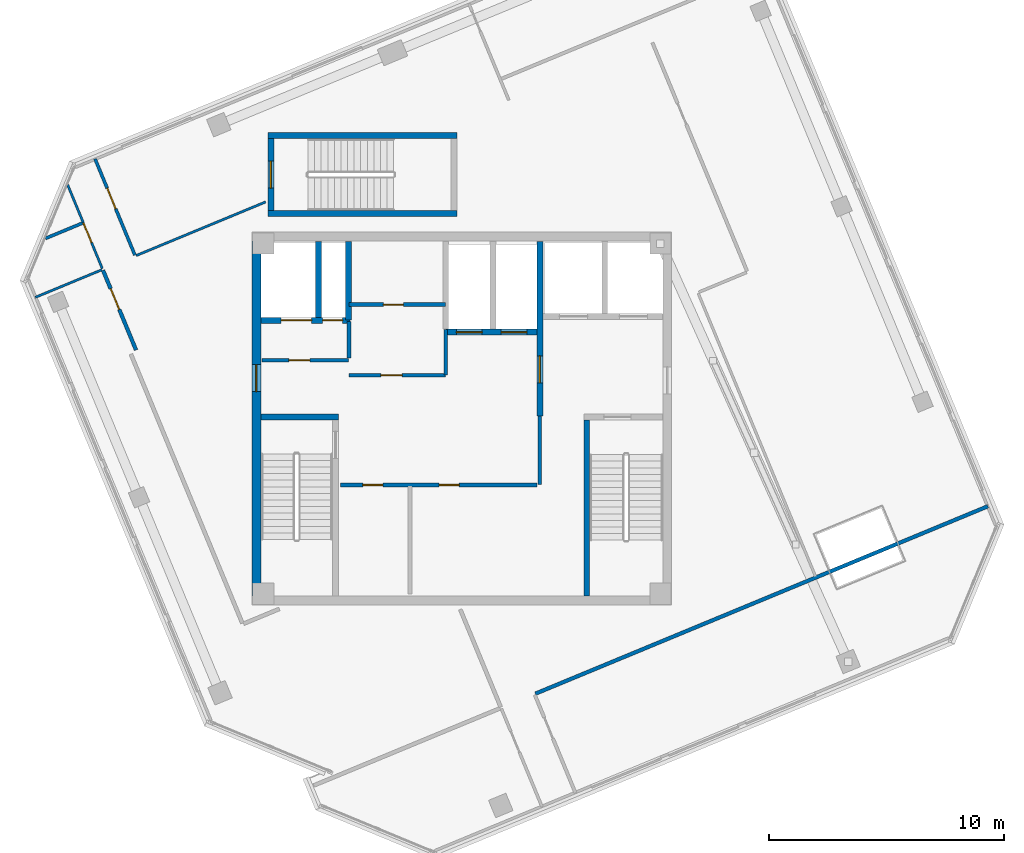
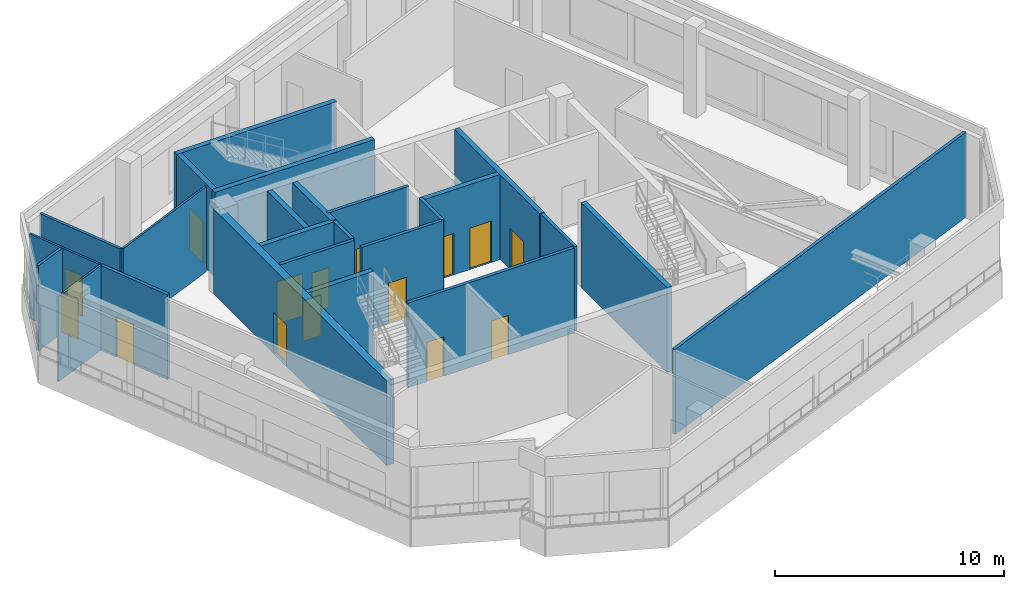
# One storey, part 9 of 17: 25 walls, 15 doors, 15 openings.
"""IFC4 building model written with IfcOpenShell, lengths in metres."""

from ifc_helpers import new_model, si_unit, direction, frame, frame_2d, origin, place, context, subcontext, project, spatial, rectangle, extrude, source, transform, mapped, material, layer, layer_set, type_object, element, fill, save


model = new_model("IFC4")

# Units and contexts
model_context = context("Model", 3, precision=1e-05, world=origin(), true_north=direction((0.0, 1.0)))
body_context = subcontext(model_context, "Body", "Model", "MODEL_VIEW")
ifc_project = project(units=[si_unit("LENGTHUNIT", "METRE"), si_unit("AREAUNIT", "SQUARE_METRE"), si_unit("VOLUMEUNIT", "CUBIC_METRE"), si_unit("PLANEANGLEUNIT", "RADIAN"), si_unit("MASSUNIT", "GRAM", prefix="KILO")], contexts=[model_context])

# Site, building, storey
site_placement = place(None, origin())
site = spatial("IfcSite", under=ifc_project, at=site_placement, CompositionType="ELEMENT")
building_placement = place(site_placement, origin())
building = spatial("IfcBuilding", under=site, at=building_placement, Name="Torre Montelarca", CompositionType="ELEMENT")
storey_placement = place(building_placement, frame((0.0, 0.0, 355.199951171875)))
storey = spatial("IfcBuildingStorey", under=building, at=storey_placement, Name="L80", CompositionType="ELEMENT", Elevation=355.199951171875)

# Walls
ifc_material_1 = material(Name="Concrete C40/50", Category="concrete")
ifc_layer_1 = layer(ifc_material_1, 0.25, Name="Concrete C40/50", Category="concrete")
ifc_layer_set_1 = layer_set([ifc_layer_1], Name="Concrete C40/50")
wall_type_1 = type_object("IfcWallType", Name="CW-SHAFT-250", PredefinedType="SHEAR", material=ifc_layer_set_1)
wall_1_placement = place(storey_placement, frame((9.4599609375, 32.074951171875, 0.0), z_axis=(0.0, 0.0, 1.0), x_axis=(1.0, 0.0, 0.0)))
element("IfcWall", 1, at=wall_1_placement, inside=storey, type_object=wall_type_1, Name="L80 Core Shear Wall SH-ST1-N", PredefinedType="SHEAR", context=body_context, shape_type="SweptSolid", body=[
    extrude(rectangle(XDim=3.2900390625, YDim=0.25, at=frame_2d((1.64501953125, 0.0))), origin(), (0.0, 0.0, 1.0), 4.52001953125),
])
wall_2_placement = place(storey_placement, frame((23.31494140625, 24.4599609375, 0.0), z_axis=(0.0, 0.0, 1.0), x_axis=(0.0, 1.0, 0.0)))
element("IfcWall", 2, at=wall_2_placement, inside=storey, type_object=wall_type_1, Name="L80 Core Shear Wall SH-ST2-W", PredefinedType="SHEAR", context=body_context, shape_type="SweptSolid", body=[
    extrude(rectangle(XDim=7.489990234375, YDim=0.25, at=frame_2d((3.7451171875, 0.0))), origin(), (0.0, 0.0, 1.0), 4.52001953125),
])

# Wall, opening, door
wall_3_placement = place(storey_placement, frame((21.320068359375, 32.1201171875, 0.0), z_axis=(0.0, 0.0, 1.0), x_axis=(0.0, 1.0, 0.0)))
wall_3 = element("IfcWall", 3, at=wall_3_placement, inside=storey, type_object=wall_type_1, Name="L80 Core Shear Wall SH-FFL-W", PredefinedType="SHEAR", context=body_context, shape_type="SweptSolid", body=[
    extrude(rectangle(XDim=7.419921875, YDim=0.25, at=frame_2d((3.7099609375, 0.0))), origin(), (0.0, 0.0, 1.0), 4.52001953125),
])
opening_1_placement = place(wall_3_placement, frame((1.39990234375, 0.0, 0.0)))
opening_1 = element("IfcOpeningElement", 4, at=opening_1_placement, cuts=wall_3, Name="Opening FD-LB1", PredefinedType="OPENING", context=body_context, shape_type="SweptSolid", body=[
    extrude(rectangle(XDim=1.14990234375, YDim=2.199951171875, at=frame_2d((0.574951171875, 1.10009765625))), frame((0.0, 0.135009765625, 0.0), z_axis=(0.0, -1.0, 0.0), x_axis=(1.0, 0.0, 0.0)), (0.0, 0.0, 1.0), 0.27001953125),
])
ifc_material_2 = material(Name="Acoustic timber-veneered fire door", Category="wood")
door_type_1 = type_object("IfcDoorType", Name="DR-LOBBY-115", OperationType="NOTDEFINED", PredefinedType="DOOR", material=ifc_material_2)
shared_shape_1 = source(origin(), body_context, "Body", "SweptSolid", [
    extrude(rectangle(XDim=1.14990234375, YDim=2.199951171875, at=frame_2d((0.574951171875, 1.10009765625))), frame((0.0, 0.02490234375, 0.0), z_axis=(0.0, -1.0, 0.0), x_axis=(1.0, 0.0, 0.0)), (0.0, 0.0, 1.0), 0.050048828125),
])
door_1_placement = place(opening_1_placement, origin())
door_1 = element("IfcDoor", 5, at=door_1_placement, inside=storey, type_object=door_type_1, Name="L80 Lift Lobby to Firefighting Lobby Smoke Door", OperationType="SINGLE_SWING_LEFT", OverallHeight=2.199951171875, OverallWidth=1.14990234375, PredefinedType="DOOR", context=body_context, shape_type="MappedRepresentation", body=[
    mapped(shared_shape_1, transform((0.0, 0.0, 0.0), scale=1.0)),
])
fill(opening_1, door_1)

# Wall, openings, doors
wall_4_placement = place(storey_placement, frame((9.4599609375, 36.179931640625, 0.0), z_axis=(0.0, 0.0, 1.0), x_axis=(1.0, 0.0, 0.0)))
wall_4 = element("IfcWall", 6, at=wall_4_placement, inside=storey, type_object=wall_type_1, Name="L80 Core Shear Wall SH-SV1-S", PredefinedType="SHEAR", context=body_context, shape_type="SweptSolid", body=[
    extrude(rectangle(XDim=3.7900390625, YDim=0.25, at=frame_2d((1.89501953125, 0.0))), origin(), (0.0, 0.0, 1.0), 4.52001953125),
])
opening_2_placement = place(wall_4_placement, frame((2.6201171875, 0.0, 0.0)))
opening_2 = element("IfcOpeningElement", 7, at=opening_2_placement, cuts=wall_4, Name="Opening FD-085", PredefinedType="OPENING", context=body_context, shape_type="SweptSolid", body=[
    extrude(rectangle(XDim=0.85009765625, YDim=2.10009765625, at=frame_2d((0.425048828125, 1.050048828125))), frame((0.0, 0.135009765625, 0.0), z_axis=(0.0, -1.0, 0.0), x_axis=(1.0, 0.0, 0.0)), (0.0, 0.0, 1.0), 0.27001953125),
])
opening_3_placement = place(wall_4_placement, frame((0.85009765625, 0.0, 0.0)))
opening_3 = element("IfcOpeningElement", 8, at=opening_3_placement, cuts=wall_4, Name="Opening LD-130", PredefinedType="OPENING", context=body_context, shape_type="SweptSolid", body=[
    extrude(rectangle(XDim=1.300048828125, YDim=2.25, at=frame_2d((0.64990234375, 1.125))), frame((0.0, 0.135009765625, 0.0), z_axis=(0.0, -1.0, 0.0), x_axis=(1.0, 0.0, 0.0)), (0.0, 0.0, 1.0), 0.27001953125),
])
ifc_material_3 = material(Name="Steel riser access fire door", Category="steel")
door_type_2 = type_object("IfcDoorType", Name="DR-RISER-085", OperationType="NOTDEFINED", PredefinedType="DOOR", material=ifc_material_3)
shared_shape_2 = source(origin(), body_context, "Body", "SweptSolid", [
    extrude(rectangle(XDim=0.85009765625, YDim=2.10009765625, at=frame_2d((0.425048828125, 1.050048828125))), frame((0.0, 0.02490234375, 0.0), z_axis=(0.0, -1.0, 0.0), x_axis=(1.0, 0.0, 0.0)), (0.0, 0.0, 1.0), 0.050048828125),
])
door_2_placement = place(opening_2_placement, origin())
door_2 = element("IfcDoor", 9, at=door_2_placement, inside=storey, type_object=door_type_2, Name="L80 Electrical Riser Shaft Access Door", OperationType="SINGLE_SWING_RIGHT", OverallHeight=2.10009765625, OverallWidth=0.85009765625, PredefinedType="DOOR", context=body_context, shape_type="MappedRepresentation", body=[
    mapped(shared_shape_2, transform((0.0, 0.0, 0.0), scale=1.0)),
])
fill(opening_2, door_2)
ifc_material_4 = material(Name="Brushed stainless steel AISI 316", Category="steel")
door_type_3 = type_object("IfcDoorType", Name="DR-LIFT-130", OperationType="SLIDING_TO_LEFT", PredefinedType="DOOR", material=ifc_material_4)
shared_shape_3 = source(origin(), body_context, "Body", "SweptSolid", [
    extrude(rectangle(XDim=1.300048828125, YDim=2.25, at=frame_2d((0.64990234375, 1.125))), frame((0.0, 0.02490234375, 0.0), z_axis=(0.0, -1.0, 0.0), x_axis=(1.0, 0.0, 0.0)), (0.0, 0.0, 1.0), 0.050048828125),
])
door_3_placement = place(opening_3_placement, origin())
door_3 = element("IfcDoor", 10, at=door_3_placement, inside=storey, type_object=door_type_3, Name="L80 Lift Landing Sliding Door SV-1", OperationType="SLIDING_TO_LEFT", OverallHeight=2.25, OverallWidth=1.300048828125, PredefinedType="DOOR", context=body_context, shape_type="MappedRepresentation", body=[
    mapped(shared_shape_3, transform((0.0, 0.0, 0.0), scale=1.0)),
])
fill(opening_3, door_3)

# Walls
wall_5_placement = place(storey_placement, frame((11.89990234375, 36.31005859375, 0.0), z_axis=(0.0, 0.0, 1.0), x_axis=(0.0, 1.0, 0.0)))
element("IfcWall", 11, at=wall_5_placement, inside=storey, type_object=wall_type_1, Name="L80 Core Shear Wall SH-SV1-E", PredefinedType="SHEAR", context=body_context, shape_type="SweptSolid", body=[
    extrude(rectangle(XDim=3.22998046875, YDim=0.25, at=frame_2d((1.614990234375, 0.0))), origin(), (0.0, 0.0, 1.0), 4.52001953125),
])
wall_6_placement = place(storey_placement, frame((13.179931640625, 36.199951171875, 0.0), z_axis=(0.0, 0.0, 1.0), x_axis=(0.0, 1.0, 0.0)))
element("IfcWall", 12, at=wall_6_placement, inside=storey, type_object=wall_type_1, Name="L80 Core Shear Wall SH-RSR1-E", PredefinedType="SHEAR", context=body_context, shape_type="SweptSolid", body=[
    extrude(rectangle(XDim=3.340087890625, YDim=0.25, at=frame_2d((1.669921875, 0.0))), origin(), (0.0, 0.0, 1.0), 4.52001953125),
])

# Wall, openings, doors
wall_7_placement = place(storey_placement, frame((17.320068359375, 35.679931640625, 0.0), z_axis=(0.0, 0.0, 1.0), x_axis=(1.0, 0.0, 0.0)))
wall_7 = element("IfcWall", 13, at=wall_7_placement, inside=storey, type_object=wall_type_1, Name="L80 Core Shear Wall SH-PLH-S", PredefinedType="SHEAR", context=body_context, shape_type="SweptSolid", body=[
    extrude(rectangle(XDim=3.869873046875, YDim=0.25, at=frame_2d((1.93505859375, 0.0))), origin(), (0.0, 0.0, 1.0), 4.52001953125),
])
opening_4_placement = place(wall_7_placement, frame((0.449951171875, 0.0, 0.0)))
opening_4 = element("IfcOpeningElement", 14, at=opening_4_placement, cuts=wall_7, Name="Opening LD-110", PredefinedType="OPENING", context=body_context, shape_type="SweptSolid", body=[
    extrude(rectangle(XDim=1.10009765625, YDim=2.199951171875, at=frame_2d((0.550048828125, 1.10009765625))), frame((0.0, 0.135009765625, 0.0), z_axis=(0.0, -1.0, 0.0), x_axis=(1.0, 0.0, 0.0)), (0.0, 0.0, 1.0), 0.27001953125),
])
opening_5_placement = place(wall_7_placement, frame((2.35009765625, 0.0, 0.0)))
opening_5 = element("IfcOpeningElement", 15, at=opening_5_placement, cuts=wall_7, Name="Opening LD-110", PredefinedType="OPENING", context=body_context, shape_type="SweptSolid", body=[
    extrude(rectangle(XDim=1.10009765625, YDim=2.199951171875, at=frame_2d((0.550048828125, 1.10009765625))), frame((0.0, 0.135009765625, 0.0), z_axis=(0.0, -1.0, 0.0), x_axis=(1.0, 0.0, 0.0)), (0.0, 0.0, 1.0), 0.27001953125),
])
door_type_4 = type_object("IfcDoorType", Name="DR-LIFT-110", OperationType="SLIDING_TO_LEFT", PredefinedType="DOOR", material=ifc_material_4)
shared_shape_4 = source(origin(), body_context, "Body", "SweptSolid", [
    extrude(rectangle(XDim=1.10009765625, YDim=2.199951171875, at=frame_2d((0.550048828125, 1.10009765625))), frame((0.0, 0.02490234375, 0.0), z_axis=(0.0, -1.0, 0.0), x_axis=(1.0, 0.0, 0.0)), (0.0, 0.0, 1.0), 0.050048828125),
])
door_4_placement = place(opening_4_placement, origin())
door_4 = element("IfcDoor", 16, at=door_4_placement, inside=storey, type_object=door_type_4, Name="L80 Lift Landing Sliding Door PL-H1", OperationType="SLIDING_TO_LEFT", OverallHeight=2.199951171875, OverallWidth=1.10009765625, PredefinedType="DOOR", context=body_context, shape_type="MappedRepresentation", body=[
    mapped(shared_shape_4, transform((0.0, 0.0, 0.0), scale=1.0)),
])
fill(opening_4, door_4)
door_5_placement = place(opening_5_placement, origin())
door_5 = element("IfcDoor", 17, at=door_5_placement, inside=storey, type_object=door_type_4, Name="L80 Lift Landing Sliding Door PL-H2", OperationType="SLIDING_TO_RIGHT", OverallHeight=2.199951171875, OverallWidth=1.10009765625, PredefinedType="DOOR", context=body_context, shape_type="MappedRepresentation", body=[
    mapped(shared_shape_4, transform((0.0, 0.0, 0.0), scale=1.0)),
])
fill(opening_5, door_5)

# Wall, opening, door
wall_8_placement = place(storey_placement, frame((9.875, 40.85009765625, 0.0), z_axis=(0.0, 0.0, 1.0), x_axis=(0.0, 1.0, 0.0)))
wall_8 = element("IfcWall", 18, at=wall_8_placement, inside=storey, type_object=wall_type_1, Name="L80 Core Shear Wall SH-ST5-W", PredefinedType="SHEAR", context=body_context, shape_type="SweptSolid", body=[
    extrude(rectangle(XDim=3.06982421875, YDim=0.25, at=frame_2d((1.534912109375, 0.0))), origin(), (0.0, 0.0, 1.0), 4.52001953125),
])
opening_6_placement = place(wall_8_placement, frame((0.9599609375, 0.0, 0.0)))
opening_6 = element("IfcOpeningElement", 19, at=opening_6_placement, cuts=wall_8, Name="Opening FD-LB1", PredefinedType="OPENING", context=body_context, shape_type="SweptSolid", body=[
    extrude(rectangle(XDim=1.14990234375, YDim=2.199951171875, at=frame_2d((0.574951171875, 1.10009765625))), frame((0.0, 0.135009765625, 0.0), z_axis=(0.0, -1.0, 0.0), x_axis=(1.0, 0.0, 0.0)), (0.0, 0.0, 1.0), 0.27001953125),
])
door_6_placement = place(opening_6_placement, origin())
door_6 = element("IfcDoor", 20, at=door_6_placement, inside=storey, type_object=door_type_1, Name="L80 Observatory Feature Stair ST5 Door", OperationType="SINGLE_SWING_RIGHT", OverallHeight=2.199951171875, OverallWidth=1.14990234375, PredefinedType="DOOR", context=body_context, shape_type="MappedRepresentation", body=[
    mapped(shared_shape_1, transform((0.0, 0.0, 0.0), scale=1.0)),
])
fill(opening_6, door_6)

# Walls
for number, where, z_axis, x_axis, name in (
    (21, (9.75, 40.72509765625, 0.0), (0.0, 0.0, 1.0), (1.0, 0.0, 0.0), "L80 Core Shear Wall SH-ST5-S"),
    (22, (9.75, 44.044921875, 0.0), (0.0, 0.0, 1.0), (1.0, 0.0, 0.0), "L80 Core Shear Wall SH-ST5-N"),
):
    element("IfcWall", number, at=place(storey_placement, frame(where, z_axis=z_axis, x_axis=x_axis)), inside=storey, type_object=wall_type_1, Name=name, PredefinedType="SHEAR", context=body_context, shape_type="SweptSolid", body=[
        extrude(rectangle(XDim=8.050048828125, YDim=0.25, at=frame_2d((4.02490234375, 0.0))), origin(), (0.0, 0.0, 1.0), 4.52001953125),
    ])

# Wall, opening, door
ifc_layer_2 = layer(ifc_material_1, 0.3798828125, Name="Concrete C40/50", Category="concrete")
ifc_layer_set_2 = layer_set([ifc_layer_2], Name="Concrete C40/50")
wall_type_2 = type_object("IfcWallType", Name="CW-SHEAR-380", PredefinedType="SHEAR", material=ifc_layer_set_2)
wall_9_placement = place(storey_placement, frame((9.260009765625, 24.449951171875, 0.0), z_axis=(0.0, 0.0, 1.0), x_axis=(0.0, 1.0, 0.0)))
wall_9 = element("IfcWall", 23, at=wall_9_placement, inside=storey, type_object=wall_type_2, Name="L80 Core Shear Wall CW-W", PredefinedType="SHEAR", context=body_context, shape_type="SweptSolid", body=[
    extrude(rectangle(XDim=15.10009765625, YDim=0.3798828125, at=frame_2d((7.550048828125, 0.0))), origin(), (0.0, 0.0, 1.0), 4.52001953125),
])
opening_7_placement = place(wall_9_placement, frame((8.699951171875, 0.0, 0.0)))
opening_7 = element("IfcOpeningElement", 24, at=opening_7_placement, cuts=wall_9, Name="Opening FD-LB1", PredefinedType="OPENING", context=body_context, shape_type="SweptSolid", body=[
    extrude(rectangle(XDim=1.14990234375, YDim=2.199951171875, at=frame_2d((0.574951171875, 1.10009765625))), frame((0.0, 0.199951171875, 0.0), z_axis=(0.0, -1.0, 0.0), x_axis=(1.0, 0.0, 0.0)), (0.0, 0.0, 1.0), 0.39990234375),
])
door_7_placement = place(opening_7_placement, origin())
door_7 = element("IfcDoor", 25, at=door_7_placement, inside=storey, type_object=door_type_1, Name="L80 Passenger Lift Lobby West Corridor Fire Door", OperationType="SINGLE_SWING_RIGHT", OverallHeight=2.199951171875, OverallWidth=1.14990234375, PredefinedType="DOOR", context=body_context, shape_type="MappedRepresentation", body=[
    mapped(shared_shape_1, transform((0.0, 0.0, 0.0), scale=1.0)),
])
fill(opening_7, door_7)

ifc_material_5 = material(Name="Gypsum plasterboard on steel stud", Category="steel")
ifc_layer_3 = layer(ifc_material_5, 0.159912109375, Name="Gypsum plasterboard on steel stud", Category="steel")
ifc_layer_set_3 = layer_set([ifc_layer_3], Name="Gypsum plasterboard on steel stud")
wall_type_3 = type_object("IfcWallType", Name="PW-FIRE-160", PredefinedType="PARTITIONING", material=ifc_layer_set_3)
wall_10_placement = place(storey_placement, frame((9.489990234375, 34.47998046875, 0.0), z_axis=(0.0, 0.0, 1.0), x_axis=(1.0, 0.0, 0.0)))
wall_10 = element("IfcWall", 26, at=wall_10_placement, inside=storey, type_object=wall_type_3, Name="L80 Interior Partition CW-L80-SVS", PredefinedType="PARTITIONING", context=body_context, shape_type="SweptSolid", body=[
    extrude(rectangle(XDim=3.699951171875, YDim=0.159912109375, at=frame_2d((1.85009765625, 0.0))), origin(), (0.0, 0.0, 1.0), 4.52001953125),
])
opening_8_placement = place(wall_10_placement, frame((1.14990234375, 0.0, 0.0)))
opening_8 = element("IfcOpeningElement", 27, at=opening_8_placement, cuts=wall_10, Name="Opening FD-090", PredefinedType="OPENING", context=body_context, shape_type="SweptSolid", body=[
    extrude(rectangle(XDim=0.89990234375, YDim=2.14990234375, at=frame_2d((0.449951171875, 1.074951171875))), frame((0.0, 0.08984375, 0.0), z_axis=(0.0, -1.0, 0.0), x_axis=(1.0, 0.0, 0.0)), (0.0, 0.0, 1.0), 0.179931640625),
])
ifc_material_6 = material(Name="Steel service fire door", Category="steel")
door_type_5 = type_object("IfcDoorType", Name="DR-FIRE-090", OperationType="NOTDEFINED", PredefinedType="DOOR", material=ifc_material_6)
shared_shape_5 = source(origin(), body_context, "Body", "SweptSolid", [
    extrude(rectangle(XDim=0.89990234375, YDim=2.14990234375, at=frame_2d((0.449951171875, 1.074951171875))), frame((0.0, 0.02490234375, 0.0), z_axis=(0.0, -1.0, 0.0), x_axis=(1.0, 0.0, 0.0)), (0.0, 0.0, 1.0), 0.050048828125),
])
door_8_placement = place(opening_8_placement, origin())
door_8 = element("IfcDoor", 28, at=door_8_placement, inside=storey, type_object=door_type_5, Name="L80 Interior Door 01", OperationType="SINGLE_SWING_RIGHT", OverallHeight=2.14990234375, OverallWidth=0.89990234375, PredefinedType="DOOR", context=body_context, shape_type="MappedRepresentation", body=[
    mapped(shared_shape_5, transform((0.0, 0.0, 0.0), scale=1.0)),
])
fill(opening_8, door_8)

# Wall
wall_11_placement = place(storey_placement, frame((13.199951171875, 34.570068359375, 0.0), z_axis=(0.0, 0.0, 1.0), x_axis=(0.0, 1.0, 0.0)))
element("IfcWall", 29, at=wall_11_placement, inside=storey, type_object=wall_type_3, Name="L80 Interior Partition CW-L80-SVE", PredefinedType="PARTITIONING", context=body_context, shape_type="SweptSolid", body=[
    extrude(rectangle(XDim=1.56982421875, YDim=0.159912109375, at=frame_2d((0.784912109375, 0.0))), origin(), (0.0, 0.0, 1.0), 4.52001953125),
])

# Wall, opening, door
wall_12_placement = place(storey_placement, frame((13.2099609375, 33.85009765625, 0.0), z_axis=(0.0, 0.0, 1.0), x_axis=(1.0, 0.0, 0.0)))
wall_12 = element("IfcWall", 30, at=wall_12_placement, inside=storey, type_object=wall_type_3, Name="L80 Interior Partition CW-L80-FRMS", PredefinedType="PARTITIONING", context=body_context, shape_type="SweptSolid", body=[
    extrude(rectangle(XDim=4.10009765625, YDim=0.159912109375, at=frame_2d((2.050048828125, 0.0))), origin(), (0.0, 0.0, 1.0), 4.52001953125),
])
opening_9_placement = place(wall_12_placement, frame((1.35009765625, 0.0, 0.0)))
opening_9 = element("IfcOpeningElement", 31, at=opening_9_placement, cuts=wall_12, Name="Opening FD-090", PredefinedType="OPENING", context=body_context, shape_type="SweptSolid", body=[
    extrude(rectangle(XDim=0.89990234375, YDim=2.14990234375, at=frame_2d((0.449951171875, 1.074951171875))), frame((0.0, 0.08984375, 0.0), z_axis=(0.0, -1.0, 0.0), x_axis=(1.0, 0.0, 0.0)), (0.0, 0.0, 1.0), 0.179931640625),
])
door_9_placement = place(opening_9_placement, origin())
door_9 = element("IfcDoor", 32, at=door_9_placement, inside=storey, type_object=door_type_5, Name="L80 Interior Door 02", OperationType="SINGLE_SWING_LEFT", OverallHeight=2.14990234375, OverallWidth=0.89990234375, PredefinedType="DOOR", context=body_context, shape_type="MappedRepresentation", body=[
    mapped(shared_shape_5, transform((0.0, 0.0, 0.0), scale=1.0)),
])
fill(opening_9, door_9)

# Wall
wall_13_placement = place(storey_placement, frame((17.320068359375, 33.860107421875, 0.0), z_axis=(0.0, 0.0, 1.0), x_axis=(0.0, 1.0, 0.0)))
element("IfcWall", 33, at=wall_13_placement, inside=storey, type_object=wall_type_3, Name="L80 Interior Partition CW-L80-FRME", PredefinedType="PARTITIONING", context=body_context, shape_type="SweptSolid", body=[
    extrude(rectangle(XDim=1.929931640625, YDim=0.159912109375, at=frame_2d((0.96484375, 0.0))), origin(), (0.0, 0.0, 1.0), 4.52001953125),
])

# Wall, opening, door
wall_14_placement = place(storey_placement, frame((13.2099609375, 36.85009765625, 0.0), z_axis=(0.0, 0.0, 1.0), x_axis=(1.0, 0.0, 0.0)))
wall_14 = element("IfcWall", 34, at=wall_14_placement, inside=storey, type_object=wall_type_3, Name="L80 Interior Partition CW-L80-FRMD", PredefinedType="PARTITIONING", context=body_context, shape_type="SweptSolid", body=[
    extrude(rectangle(XDim=4.10009765625, YDim=0.159912109375, at=frame_2d((2.050048828125, 0.0))), origin(), (0.0, 0.0, 1.0), 4.52001953125),
])
opening_10_placement = place(wall_14_placement, frame((1.449951171875, 0.0, 0.0)))
opening_10 = element("IfcOpeningElement", 35, at=opening_10_placement, cuts=wall_14, Name="Opening FD-085", PredefinedType="OPENING", context=body_context, shape_type="SweptSolid", body=[
    extrude(rectangle(XDim=0.85009765625, YDim=2.10009765625, at=frame_2d((0.425048828125, 1.050048828125))), frame((0.0, 0.08984375, 0.0), z_axis=(0.0, -1.0, 0.0), x_axis=(1.0, 0.0, 0.0)), (0.0, 0.0, 1.0), 0.179931640625),
])
door_10_placement = place(opening_10_placement, origin())
door_10 = element("IfcDoor", 36, at=door_10_placement, inside=storey, type_object=door_type_2, Name="L80 Interior Door 03", OperationType="SINGLE_SWING_RIGHT", OverallHeight=2.10009765625, OverallWidth=0.85009765625, PredefinedType="DOOR", context=body_context, shape_type="MappedRepresentation", body=[
    mapped(shared_shape_2, transform((0.0, 0.0, 0.0), scale=1.0)),
])
fill(opening_10, door_10)

# Wall, openings, doors
wall_15_placement = place(storey_placement, frame((12.840087890625, 29.179931640625, 0.0), z_axis=(0.0, 0.0, 1.0), x_axis=(1.0, 0.0, 0.0)))
wall_15 = element("IfcWall", 37, at=wall_15_placement, inside=storey, type_object=wall_type_3, Name="L80 Interior Partition CW-L80-FRDN", PredefinedType="PARTITIONING", context=body_context, shape_type="SweptSolid", body=[
    extrude(rectangle(XDim=8.369873046875, YDim=0.159912109375, at=frame_2d((4.18505859375, 0.0))), origin(), (0.0, 0.0, 1.0), 4.52001953125),
])
opening_11_placement = place(wall_15_placement, frame((0.949951171875, 0.0, 0.0)))
opening_11 = element("IfcOpeningElement", 38, at=opening_11_placement, cuts=wall_15, Name="Opening FD-085", PredefinedType="OPENING", context=body_context, shape_type="SweptSolid", body=[
    extrude(rectangle(XDim=0.85009765625, YDim=2.10009765625, at=frame_2d((0.425048828125, 1.050048828125))), frame((0.0, 0.08984375, 0.0), z_axis=(0.0, -1.0, 0.0), x_axis=(1.0, 0.0, 0.0)), (0.0, 0.0, 1.0), 0.179931640625),
])
opening_12_placement = place(wall_15_placement, frame((4.199951171875, 0.0, 0.0)))
opening_12 = element("IfcOpeningElement", 39, at=opening_12_placement, cuts=wall_15, Name="Opening FD-085", PredefinedType="OPENING", context=body_context, shape_type="SweptSolid", body=[
    extrude(rectangle(XDim=0.85009765625, YDim=2.10009765625, at=frame_2d((0.425048828125, 1.050048828125))), frame((0.0, 0.08984375, 0.0), z_axis=(0.0, -1.0, 0.0), x_axis=(1.0, 0.0, 0.0)), (0.0, 0.0, 1.0), 0.179931640625),
])
door_11_placement = place(opening_11_placement, origin())
door_11 = element("IfcDoor", 40, at=door_11_placement, inside=storey, type_object=door_type_2, Name="L80 Interior Door 04", OperationType="SINGLE_SWING_LEFT", OverallHeight=2.10009765625, OverallWidth=0.85009765625, PredefinedType="DOOR", context=body_context, shape_type="MappedRepresentation", body=[
    mapped(shared_shape_2, transform((0.0, 0.0, 0.0), scale=1.0)),
])
fill(opening_11, door_11)
door_12_placement = place(opening_12_placement, origin())
door_12 = element("IfcDoor", 41, at=door_12_placement, inside=storey, type_object=door_type_2, Name="L80 Interior Door 05", OperationType="SINGLE_SWING_RIGHT", OverallHeight=2.10009765625, OverallWidth=0.85009765625, PredefinedType="DOOR", context=body_context, shape_type="MappedRepresentation", body=[
    mapped(shared_shape_2, transform((0.0, 0.0, 0.0), scale=1.0)),
])
fill(opening_12, door_12)

# Wall
wall_16_placement = place(storey_placement, frame((21.320068359375, 29.18994140625, 0.0), z_axis=(0.0, 0.0, 1.0), x_axis=(0.0, 1.0, 0.0)))
element("IfcWall", 42, at=wall_16_placement, inside=storey, type_object=wall_type_3, Name="L80 Interior Partition CW-L80-FRE", PredefinedType="PARTITIONING", context=body_context, shape_type="SweptSolid", body=[
    extrude(rectangle(XDim=2.920166015625, YDim=0.159912109375, at=frame_2d((1.4599609375, 0.0))), origin(), (0.0, 0.0, 1.0), 4.52001953125),
])

# Wall, opening, door
wall_17_placement = place(storey_placement, frame((2.737060546875, 38.31005859375, 0.0), z_axis=(0.0, 0.0, 1.0), x_axis=(0.382706260748, -0.923870076355, 0.0)))
wall_17 = element("IfcWall", 43, at=wall_17_placement, inside=storey, type_object=wall_type_3, Name="L80 Interior Partition W-L80-SOCCN", PredefinedType="PARTITIONING", context=body_context, shape_type="SweptSolid", body=[
    extrude(rectangle(XDim=3.669921875, YDim=0.159912109375, at=frame_2d((1.8349609375, 0.0))), origin(), (0.0, 0.0, 1.0), 4.52001953125),
])
opening_13_placement = place(wall_17_placement, frame((0.85009765625, 0.0, 0.0)))
opening_13 = element("IfcOpeningElement", 44, at=opening_13_placement, cuts=wall_17, Name="Opening FD-095", PredefinedType="OPENING", context=body_context, shape_type="SweptSolid", body=[
    extrude(rectangle(XDim=0.949951171875, YDim=2.14990234375, at=frame_2d((0.47509765625, 1.074951171875))), frame((0.0, 0.08984375, 0.0), z_axis=(0.0, -1.0, 0.0), x_axis=(1.0, 0.0, 0.0)), (0.0, 0.0, 1.0), 0.179931640625),
])
ifc_material_7 = material(Name="Timber fire-rated room door", Category="wood")
door_type_6 = type_object("IfcDoorType", Name="DR-FIRE-095", OperationType="NOTDEFINED", PredefinedType="DOOR", material=ifc_material_7)
shared_shape_6 = source(origin(), body_context, "Body", "SweptSolid", [
    extrude(rectangle(XDim=0.949951171875, YDim=2.14990234375, at=frame_2d((0.47509765625, 1.074951171875))), frame((0.0, 0.02490234375, 0.0), z_axis=(0.0, -1.0, 0.0), x_axis=(1.0, 0.0, 0.0)), (0.0, 0.0, 1.0), 0.050048828125),
])
door_13_placement = place(opening_13_placement, origin())
door_13 = element("IfcDoor", 45, at=door_13_placement, inside=storey, type_object=door_type_6, Name="L80 Interior Door 08", OperationType="SINGLE_SWING_LEFT", OverallHeight=2.14990234375, OverallWidth=0.949951171875, PredefinedType="DOOR", context=body_context, shape_type="MappedRepresentation", body=[
    mapped(shared_shape_6, transform((0.0, 0.0, 0.0), scale=1.0)),
])
fill(opening_13, door_13)

# Wall
wall_18_placement = place(storey_placement, frame((21.130126953125, 20.297607421875, 0.0), z_axis=(0.0, 0.0, 1.0), x_axis=(0.923880046805, 0.382682190748, 0.0)))
element("IfcWall", 46, at=wall_18_placement, inside=storey, type_object=wall_type_3, Name="L80 Interior Partition W-L80-ECN", PredefinedType="PARTITIONING", context=body_context, shape_type="SweptSolid", body=[
    extrude(rectangle(XDim=20.840087890625, YDim=0.159912109375, at=frame_2d((10.419921875, 0.0))), origin(), (0.0, 0.0, 1.0), 4.52001953125),
])

# Wall, opening, door
ifc_material_8 = material(Name="Acoustic laminated glass partition", Category="glass")
ifc_layer_4 = layer(ifc_material_8, 0.10009765625, Name="Acoustic laminated glass partition", Category="glass")
ifc_layer_set_4 = layer_set([ifc_layer_4], Name="Acoustic laminated glass partition")
wall_type_4 = type_object("IfcWallType", Name="PW-GLAZ-100", PredefinedType="PARTITIONING", material=ifc_layer_set_4)
wall_19_placement = place(storey_placement, frame((1.232421875, 41.942626953125, 0.0), z_axis=(0.0, 0.0, 1.0), x_axis=(0.382652221475, -0.923892459868, 0.0)))
wall_19 = element("IfcWall", 47, at=wall_19_placement, inside=storey, type_object=wall_type_4, Name="L80 Interior Partition W-L80-WCN", PredefinedType="PARTITIONING", context=body_context, shape_type="SweptSolid", body=[
    extrude(rectangle(XDim=3.851806640625, YDim=0.10009765625, at=frame_2d((1.92578125, 0.0))), origin(), (0.0, 0.0, 1.0), 4.52001953125),
])
opening_14_placement = place(wall_19_placement, frame((1.75, 0.0, 0.0)))
opening_14 = element("IfcOpeningElement", 48, at=opening_14_placement, cuts=wall_19, Name="Opening ID-090", PredefinedType="OPENING", context=body_context, shape_type="SweptSolid", body=[
    extrude(rectangle(XDim=0.89990234375, YDim=2.14990234375, at=frame_2d((0.449951171875, 1.074951171875))), frame((0.0, 0.06005859375, 0.0), z_axis=(0.0, -1.0, 0.0), x_axis=(1.0, 0.0, 0.0)), (0.0, 0.0, 1.0), 0.1201171875),
])
ifc_material_9 = material(Name="Hardwood acoustic timber veneer", Category="wood")
door_type_7 = type_object("IfcDoorType", Name="DR-INT-090", OperationType="NOTDEFINED", PredefinedType="DOOR", material=ifc_material_9)
shared_shape_7 = source(origin(), body_context, "Body", "SweptSolid", [
    extrude(rectangle(XDim=0.89990234375, YDim=2.14990234375, at=frame_2d((0.449951171875, 1.074951171875))), frame((0.0, 0.02490234375, 0.0), z_axis=(0.0, -1.0, 0.0), x_axis=(1.0, 0.0, 0.0)), (0.0, 0.0, 1.0), 0.050048828125),
])
door_14_placement = place(opening_14_placement, origin())
door_14 = element("IfcDoor", 49, at=door_14_placement, inside=storey, type_object=door_type_7, Name="L80 Interior Door 06", OperationType="SINGLE_SWING_LEFT", OverallHeight=2.14990234375, OverallWidth=0.89990234375, PredefinedType="DOOR", context=body_context, shape_type="MappedRepresentation", body=[
    mapped(shared_shape_7, transform((0.0, 0.0, 0.0), scale=1.0)),
])
fill(opening_14, door_14)

# Walls
wall_20_placement = place(storey_placement, frame((-0.142333984375, 37.16064453125, 0.0), z_axis=(0.0, 0.0, 1.0), x_axis=(0.923868053335, 0.382711144374, 0.0)))
element("IfcWall", 50, at=wall_20_placement, inside=storey, type_object=wall_type_4, Name="L80 Interior Partition W-L80-SWCDIV", PredefinedType="PARTITIONING", context=body_context, shape_type="SweptSolid", body=[
    extrude(rectangle(XDim=3.06005859375, YDim=0.10009765625, at=frame_2d((1.530029296875, 0.0))), origin(), (0.0, 0.0, 1.0), 4.52001953125),
])
wall_21_placement = place(storey_placement, frame((4.14453125, 38.936279296875, 0.0), z_axis=(0.0, 0.0, 1.0), x_axis=(0.923878093623, 0.38268690613, 0.0)))
element("IfcWall", 51, at=wall_21_placement, inside=storey, type_object=wall_type_4, Name="L80 Interior Partition W-L80-WPKE", PredefinedType="PARTITIONING", context=body_context, shape_type="SweptSolid", body=[
    extrude(rectangle(XDim=5.96240234375, YDim=0.10009765625, at=frame_2d((2.981201171875, 0.0))), origin(), (0.0, 0.0, 1.0), 4.52001953125),
])
ifc_layer_5 = layer(ifc_material_5, 0.135009765625, Name="Gypsum plasterboard on steel stud", Category="steel")
ifc_layer_set_5 = layer_set([ifc_layer_5], Name="Gypsum plasterboard on steel stud")
wall_type_5 = type_object("IfcWallType", Name="PW-PART-135", PredefinedType="PARTITIONING", material=ifc_layer_set_5)
wall_22_placement = place(storey_placement, frame((0.28955078125, 39.666748046875, 0.0), z_axis=(0.0, 0.0, 1.0), x_axis=(0.923855963606, 0.38274032778, 0.0)))
element("IfcWall", 52, at=wall_22_placement, inside=storey, type_object=wall_type_5, Name="L80 Interior Partition W-L80-WCD", PredefinedType="PARTITIONING", context=body_context, shape_type="SweptSolid", body=[
    extrude(rectangle(XDim=1.701904296875, YDim=0.135009765625, at=frame_2d((0.85107421875, 0.0))), origin(), (0.0, 0.0, 1.0), 4.52001953125),
])

# Wall, opening, door
wall_23_placement = place(storey_placement, frame((2.39697265625, 43.05078125, 0.0), z_axis=(0.0, 0.0, 1.0), x_axis=(0.382689257808, -0.923877119512, 0.0)))
wall_23 = element("IfcWall", 53, at=wall_23_placement, inside=storey, type_object=wall_type_5, Name="L80 Interior Partition W-L80-WPKS", PredefinedType="PARTITIONING", context=body_context, shape_type="SweptSolid", body=[
    extrude(rectangle(XDim=4.429931640625, YDim=0.135009765625, at=frame_2d((2.21484375, 0.0))), origin(), (0.0, 0.0, 1.0), 4.52001953125),
])
opening_15_placement = place(wall_23_placement, frame((1.35009765625, 0.0, 0.0)))
opening_15 = element("IfcOpeningElement", 54, at=opening_15_placement, cuts=wall_23, Name="Opening ID-095", PredefinedType="OPENING", context=body_context, shape_type="SweptSolid", body=[
    extrude(rectangle(XDim=0.949951171875, YDim=2.14990234375, at=frame_2d((0.47509765625, 1.074951171875))), frame((0.0, 0.07763671875, 0.0), z_axis=(0.0, -1.0, 0.0), x_axis=(1.0, 0.0, 0.0)), (0.0, 0.0, 1.0), 0.155029296875),
])
door_type_8 = type_object("IfcDoorType", Name="DR-INT-095", OperationType="NOTDEFINED", PredefinedType="DOOR", material=ifc_material_9)
shared_shape_8 = source(origin(), body_context, "Body", "SweptSolid", [
    extrude(rectangle(XDim=0.949951171875, YDim=2.14990234375, at=frame_2d((0.47509765625, 1.074951171875))), frame((0.0, 0.02490234375, 0.0), z_axis=(0.0, -1.0, 0.0), x_axis=(1.0, 0.0, 0.0)), (0.0, 0.0, 1.0), 0.050048828125),
])
door_15_placement = place(opening_15_placement, origin())
door_15 = element("IfcDoor", 55, at=door_15_placement, inside=storey, type_object=door_type_8, Name="L80 Interior Door 10", OperationType="SINGLE_SWING_LEFT", OverallHeight=2.14990234375, OverallWidth=0.949951171875, PredefinedType="DOOR", context=body_context, shape_type="MappedRepresentation", body=[
    mapped(shared_shape_8, transform((0.0, 0.0, 0.0), scale=1.0)),
])
fill(opening_15, door_15)

save(model, "model.ifc")
